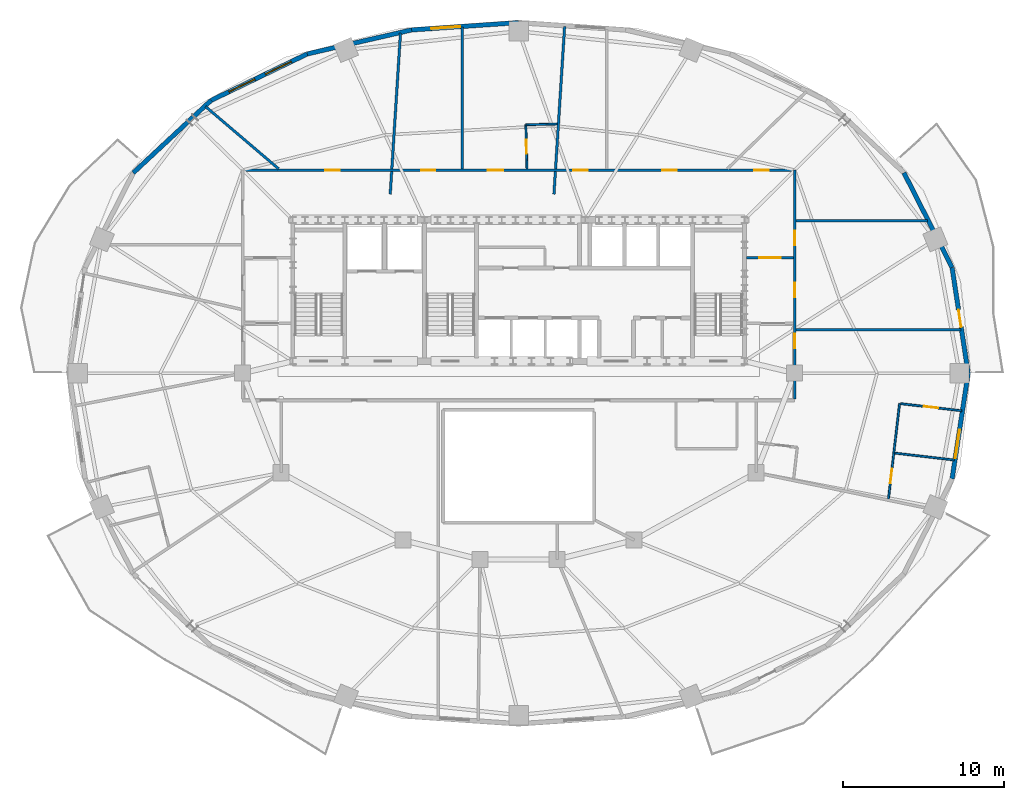
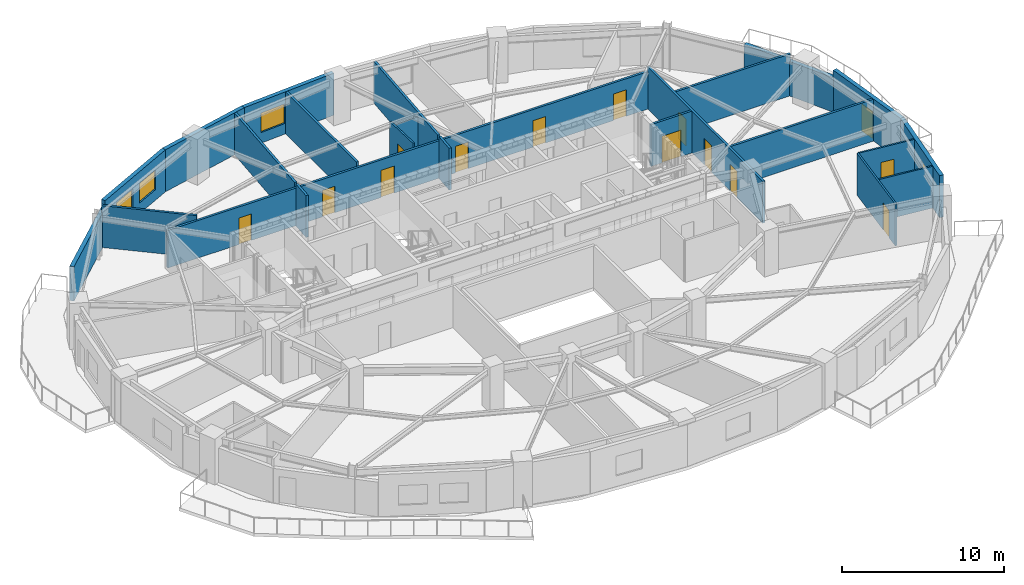
# One storey, part 6 of 10: 23 walls, 14 doors, 4 windows, 18 openings.
"""IFC4 building model written with IfcOpenShell, lengths in metres."""

from ifc_helpers import new_model, si_unit, direction, frame, frame_2d, origin, place, context, subcontext, project, spatial, rectangle, extrude, material, layer, layer_set, type_object, element, fill, save


model = new_model("IFC4")

# Units and contexts
model_context = context("Model", 3, precision=1e-05, world=origin(), true_north=direction((0.0, 1.0)))
body_context = subcontext(model_context, "Body", "Model", "MODEL_VIEW")
ifc_project = project(units=[si_unit("LENGTHUNIT", "METRE"), si_unit("AREAUNIT", "SQUARE_METRE"), si_unit("VOLUMEUNIT", "CUBIC_METRE"), si_unit("PLANEANGLEUNIT", "RADIAN"), si_unit("MASSUNIT", "GRAM", prefix="KILO")], contexts=[model_context])

# Site, building, storey
site_placement = place(None, origin())
site = spatial("IfcSite", under=ifc_project, at=site_placement, CompositionType="ELEMENT")
building_placement = place(site_placement, origin())
building = spatial("IfcBuilding", under=site, at=building_placement, Name="Haldorwick Loom Tower", CompositionType="ELEMENT")
storey_placement = place(building_placement, frame((0.0, 0.0, 196.89990234375)))
storey = spatial("IfcBuildingStorey", under=building, at=storey_placement, Name="L53", CompositionType="ELEMENT", Elevation=196.89990234375)

# Wall, opening, door
ifc_material_1 = material(Name="Pressed Clay Face Brick and Insulated Masonry Backup Assembly", Category="masonry")
ifc_layer_1 = layer(ifc_material_1, 0.280029296875, Name="Pressed Clay Face Brick and Insulated Masonry Backup Assembly", Category="masonry")
ifc_layer_set_1 = layer_set([ifc_layer_1], Name="Pressed Clay Face Brick and Insulated Masonry Backup Assembly")
wall_type_1 = type_object("IfcWallType", Name="ARC-WL-EXT280", PredefinedType="STANDARD", material=ifc_layer_set_1)
wall_1_placement = place(storey_placement, frame((64.00634765625, 26.0, 0.0), z_axis=(0.0, 0.0, 1.0), x_axis=(-0.150467697578, 0.988614926038, 0.0)))
wall_1 = element("IfcWall", 1, at=wall_1_placement, inside=storey, type_object=wall_type_1, Name="L53 Brick Pier and Spandrel Wall 1", PredefinedType="STANDARD", context=body_context, shape_type="SweptSolid", body=[
    extrude(rectangle(XDim=6.66064453125, YDim=0.280029296875, at=frame_2d((3.330322265625, 0.0))), origin(), (0.0, 0.0, 1.0), 3.170166015625),
])
opening_1_placement = place(wall_1_placement, frame((2.909912109375, 0.0, 0.0)))
opening_1 = element("IfcOpeningElement", 2, at=opening_1_placement, cuts=wall_1, Name="Opening D-BL11", PredefinedType="OPENING", context=body_context, shape_type="SweptSolid", body=[
    extrude(rectangle(XDim=1.080078125, YDim=2.0400390625, at=frame_2d((0.5400390625, 1.02001953125))), frame((0.0, 0.14990234375, 0.0), z_axis=(0.0, -1.0, 0.0), x_axis=(1.0, 0.0, 0.0)), (0.0, 0.0, 1.0), 0.300048828125),
])
ifc_material_2 = material(Name="Thermally Broken Anodized Aluminium Curtain Wall Framing", Category="aluminium")
door_type_1 = type_object("IfcDoorType", Name="ARC-DR-BAL110", OperationType="NOTDEFINED", PredefinedType="DOOR", material=ifc_material_2)
door_1_placement = place(opening_1_placement, origin())
door_1 = element("IfcDoor", 3, at=door_1_placement, inside=storey, type_object=door_type_1, Name="L53 Outdoor Terrace Door SLB-L53-BAL_ENE", OperationType="SINGLE_SWING_RIGHT", OverallHeight=2.0400390625, OverallWidth=1.080078125, PredefinedType="DOOR", context=body_context, shape_type="SweptSolid", body=[
    extrude(rectangle(XDim=1.080078125, YDim=2.0400390625, at=frame_2d((0.5400390625, 1.02001953125))), frame((0.0, 0.02490234375, 0.0), z_axis=(0.0, -1.0, 0.0), x_axis=(1.0, 0.0, 0.0)), (0.0, 0.0, 1.0), 0.050048828125),
])
fill(opening_1, door_1)

# Wall
wall_2_placement = place(storey_placement, frame((63.004150390625, 32.584716796875, 0.0), z_axis=(0.0, 0.0, 1.0), x_axis=(-0.453032066879, 0.89149422117, 0.0)))
element("IfcWall", 4, at=wall_2_placement, inside=storey, type_object=wall_type_1, Name="L53 Brick Pier and Spandrel Wall 2", PredefinedType="STANDARD", context=body_context, shape_type="SweptSolid", body=[
    extrude(rectangle(XDim=6.618896484375, YDim=0.280029296875, at=frame_2d((3.3095703125, 0.0))), origin(), (0.0, 0.0, 1.0), 2.60107421875),
])

# Wall, opening, window
wall_3_placement = place(storey_placement, frame((36.0, 47.844970703125, 0.0), z_axis=(0.0, 0.0, 1.0), x_axis=(-0.99764992135, -0.068517402386, 0.0)))
wall_3 = element("IfcWall", 5, at=wall_3_placement, inside=storey, type_object=wall_type_1, Name="L53 Brick Pier and Spandrel Wall 7", PredefinedType="STANDARD", context=body_context, shape_type="SweptSolid", body=[
    extrude(rectangle(XDim=6.680908203125, YDim=0.280029296875, at=frame_2d((3.34033203125, 0.0))), origin(), (0.0, 0.0, 1.0), 3.170166015625),
])
opening_2_placement = place(wall_3_placement, frame((3.640869140625, 0.0, 0.800048828125)))
opening_2 = element("IfcOpeningElement", 6, at=opening_2_placement, cuts=wall_3, Name="Opening W-01", PredefinedType="OPENING", context=body_context, shape_type="SweptSolid", body=[
    extrude(rectangle(XDim=1.800048828125, YDim=1.47998046875, at=frame_2d((0.89990234375, 0.739990234375))), frame((0.0, 0.14990234375, 0.0), z_axis=(0.0, -1.0, 0.0), x_axis=(1.0, 0.0, 0.0)), (0.0, 0.0, 1.0), 0.300048828125),
])
ifc_material_3 = material(Name="Triple-Glazed Low-E Argon Insulated Glazing Unit", Category="glass")
window_type = type_object("IfcWindowType", Name="ARC-WIN-W180", PartitioningType="SINGLE_PANEL", PredefinedType="WINDOW", material=ifc_material_3)
window_1_placement = place(opening_2_placement, origin())
window_1 = element("IfcWindow", 7, at=window_1_placement, inside=storey, type_object=window_type, Name="L53 Deep-Set Zone 7A Window 7", OverallHeight=1.47998046875, OverallWidth=1.800048828125, PartitioningType="SINGLE_PANEL", PredefinedType="WINDOW", context=body_context, shape_type="SweptSolid", body=[
    extrude(rectangle(XDim=1.800048828125, YDim=1.47998046875, at=frame_2d((0.89990234375, 0.739990234375))), frame((0.0, 0.030029296875, 0.0), z_axis=(0.0, -1.0, 0.0), x_axis=(1.0, 0.0, 0.0)), (0.0, 0.0, 1.0), 0.06005859375),
])
fill(opening_2, window_1)

# Wall
wall_4_placement = place(storey_placement, frame((29.334716796875, 47.38720703125, 0.0), z_axis=(0.0, 0.0, 1.0), x_axis=(-0.974557343474, -0.224138315065, 0.0)))
element("IfcWall", 8, at=wall_4_placement, inside=storey, type_object=wall_type_1, Name="L53 Brick Pier and Spandrel Wall 8", PredefinedType="STANDARD", context=body_context, shape_type="SweptSolid", body=[
    extrude(rectangle(XDim=6.676025390625, YDim=0.280029296875, at=frame_2d((3.337890625, 0.0))), origin(), (0.0, 0.0, 1.0), 3.170166015625),
])

# Wall, openings, windows
wall_5_placement = place(storey_placement, frame((22.82861328125, 45.890869140625, 0.0), z_axis=(0.0, 0.0, 1.0), x_axis=(-0.900371236029, -0.435122554381, 0.0)))
wall_5 = element("IfcWall", 9, at=wall_5_placement, inside=storey, type_object=wall_type_1, Name="L53 Brick Pier and Spandrel Wall 9", PredefinedType="STANDARD", context=body_context, shape_type="SweptSolid", body=[
    extrude(rectangle(XDim=6.6533203125, YDim=0.280029296875, at=frame_2d((3.32666015625, 0.0))), origin(), (0.0, 0.0, 1.0), 3.170166015625),
])
opening_3_placement = place(wall_5_placement, frame((1.095947265625, 0.0, 0.800048828125)))
opening_3 = element("IfcOpeningElement", 10, at=opening_3_placement, cuts=wall_5, Name="Opening W-01", PredefinedType="OPENING", context=body_context, shape_type="SweptSolid", body=[
    extrude(rectangle(XDim=1.800048828125, YDim=1.47998046875, at=frame_2d((0.89990234375, 0.739990234375))), frame((0.0, 0.14990234375, 0.0), z_axis=(0.0, -1.0, 0.0), x_axis=(1.0, 0.0, 0.0)), (0.0, 0.0, 1.0), 0.300048828125),
])
opening_4_placement = place(wall_5_placement, frame((3.618896484375, 0.0, 0.800048828125)))
opening_4 = element("IfcOpeningElement", 11, at=opening_4_placement, cuts=wall_5, Name="Opening W-01", PredefinedType="OPENING", context=body_context, shape_type="SweptSolid", body=[
    extrude(rectangle(XDim=1.800048828125, YDim=1.47998046875, at=frame_2d((0.89990234375, 0.739990234375))), frame((0.0, 0.14990234375, 0.0), z_axis=(0.0, -1.0, 0.0), x_axis=(1.0, 0.0, 0.0)), (0.0, 0.0, 1.0), 0.300048828125),
])
window_2_placement = place(opening_3_placement, origin())
window_2 = element("IfcWindow", 12, at=window_2_placement, inside=storey, type_object=window_type, Name="L53 Deep-Set Zone 7A Window 9", OverallHeight=1.47998046875, OverallWidth=1.800048828125, PartitioningType="SINGLE_PANEL", PredefinedType="WINDOW", context=body_context, shape_type="SweptSolid", body=[
    extrude(rectangle(XDim=1.800048828125, YDim=1.47998046875, at=frame_2d((0.89990234375, 0.739990234375))), frame((0.0, 0.030029296875, 0.0), z_axis=(0.0, -1.0, 0.0), x_axis=(1.0, 0.0, 0.0)), (0.0, 0.0, 1.0), 0.06005859375),
])
fill(opening_3, window_2)
window_3_placement = place(opening_4_placement, origin())
window_3 = element("IfcWindow", 13, at=window_3_placement, inside=storey, type_object=window_type, Name="L53 Deep-Set Zone 7A Window 9", OverallHeight=1.47998046875, OverallWidth=1.800048828125, PartitioningType="SINGLE_PANEL", PredefinedType="WINDOW", context=body_context, shape_type="SweptSolid", body=[
    extrude(rectangle(XDim=1.800048828125, YDim=1.47998046875, at=frame_2d((0.89990234375, 0.739990234375))), frame((0.0, 0.030029296875, 0.0), z_axis=(0.0, -1.0, 0.0), x_axis=(1.0, 0.0, 0.0)), (0.0, 0.0, 1.0), 0.06005859375),
])
fill(opening_4, window_3)

# Wall
wall_6_placement = place(storey_placement, frame((16.838134765625, 42.995849609375, 0.0), z_axis=(0.0, 0.0, 1.0), x_axis=(-0.731833707499, -0.681483253329, 0.0)))
element("IfcWall", 14, at=wall_6_placement, inside=storey, type_object=wall_type_1, Name="L53 Brick Pier and Spandrel Wall 10", PredefinedType="STANDARD", context=body_context, shape_type="SweptSolid", body=[
    extrude(rectangle(XDim=6.61865234375, YDim=0.280029296875, at=frame_2d((3.309326171875, 0.0))), origin(), (0.0, 0.0, 1.0), 2.60107421875),
])

# Wall, opening, window
wall_7_placement = place(storey_placement, frame((63.004150390625, 19.415283203125, 0.0), z_axis=(0.0, 0.0, 1.0), x_axis=(0.150467697578, 0.988614926038, 0.0)))
wall_7 = element("IfcWall", 15, at=wall_7_placement, inside=storey, type_object=wall_type_1, Name="L53 Brick Pier and Spandrel Wall 24", PredefinedType="STANDARD", context=body_context, shape_type="SweptSolid", body=[
    extrude(rectangle(XDim=6.66064453125, YDim=0.280029296875, at=frame_2d((3.330322265625, 0.0))), origin(), (0.0, 0.0, 1.0), 3.170166015625),
])
opening_5_placement = place(wall_7_placement, frame((1.295654296875, 0.0, 0.800048828125)))
opening_5 = element("IfcOpeningElement", 16, at=opening_5_placement, cuts=wall_7, Name="Opening W-01", PredefinedType="OPENING", context=body_context, shape_type="SweptSolid", body=[
    extrude(rectangle(XDim=1.800048828125, YDim=1.47998046875, at=frame_2d((0.89990234375, 0.739990234375))), frame((0.0, 0.14990234375, 0.0), z_axis=(0.0, -1.0, 0.0), x_axis=(1.0, 0.0, 0.0)), (0.0, 0.0, 1.0), 0.300048828125),
])
window_4_placement = place(opening_5_placement, origin())
window_4 = element("IfcWindow", 17, at=window_4_placement, inside=storey, type_object=window_type, Name="L53 Deep-Set Zone 7A Window 24", OverallHeight=1.47998046875, OverallWidth=1.800048828125, PartitioningType="SINGLE_PANEL", PredefinedType="WINDOW", context=body_context, shape_type="SweptSolid", body=[
    extrude(rectangle(XDim=1.800048828125, YDim=1.47998046875, at=frame_2d((0.89990234375, 0.739990234375))), frame((0.0, 0.030029296875, 0.0), z_axis=(0.0, -1.0, 0.0), x_axis=(1.0, 0.0, 0.0)), (0.0, 0.0, 1.0), 0.06005859375),
])
fill(opening_5, window_4)

# Wall, openings, doors
ifc_material_4 = material(Name="Fire-Rated Type X Gypsum Stud Assembly EI 60")
ifc_layer_2 = layer(ifc_material_4, 0.159912109375, Name="Fire-Rated Type X Gypsum Stud Assembly EI 60")
ifc_layer_set_2 = layer_set([ifc_layer_2], Name="Fire-Rated Type X Gypsum Stud Assembly EI 60")
wall_type_2 = type_object("IfcWallType", Name="ARC-WL-FIRE160", PredefinedType="PARTITIONING", material=ifc_layer_set_2)
wall_8_placement = place(storey_placement, frame((53.199951171875, 24.383056640625, 0.0), z_axis=(0.0, 0.0, 1.0), x_axis=(0.0, 1.0, 0.0)))
wall_8 = element("IfcWall", 18, at=wall_8_placement, inside=storey, type_object=wall_type_2, Name="L53 Residential Fire Partition L53-CR-E0", PredefinedType="PARTITIONING", context=body_context, shape_type="SweptSolid", body=[
    extrude(rectangle(XDim=14.266845703125, YDim=0.159912109375, at=frame_2d((7.13330078125, 0.0))), origin(), (0.0, 0.0, 1.0), 3.155029296875),
])
opening_6_placement = place(wall_8_placement, frame((6.34912109375, 0.0, 0.0)))
opening_6 = element("IfcOpeningElement", 19, at=opening_6_placement, cuts=wall_8, Name="Opening D-FD60A", PredefinedType="OPENING", context=body_context, shape_type="SweptSolid", body=[
    extrude(rectangle(XDim=0.89990234375, YDim=2.0, at=frame_2d((0.449951171875, 1.0))), frame((0.0, 0.08984375, 0.0), z_axis=(0.0, -1.0, 0.0), x_axis=(1.0, 0.0, 0.0)), (0.0, 0.0, 1.0), 0.179931640625),
])
opening_7_placement = place(wall_8_placement, frame((3.172119140625, 0.0, 0.0)))
opening_7 = element("IfcOpeningElement", 20, at=opening_7_placement, cuts=wall_8, Name="Opening D-FD60A", PredefinedType="OPENING", context=body_context, shape_type="SweptSolid", body=[
    extrude(rectangle(XDim=0.89990234375, YDim=2.0, at=frame_2d((0.449951171875, 1.0))), frame((0.0, 0.08984375, 0.0), z_axis=(0.0, -1.0, 0.0), x_axis=(1.0, 0.0, 0.0)), (0.0, 0.0, 1.0), 0.179931640625),
])
opening_8_placement = place(wall_8_placement, frame((9.58154296875, 0.0, 0.0)))
opening_8 = element("IfcOpeningElement", 21, at=opening_8_placement, cuts=wall_8, Name="Opening D-FD60A", PredefinedType="OPENING", context=body_context, shape_type="SweptSolid", body=[
    extrude(rectangle(XDim=0.89990234375, YDim=2.0, at=frame_2d((0.449951171875, 1.0))), frame((0.0, 0.08984375, 0.0), z_axis=(0.0, -1.0, 0.0), x_axis=(1.0, 0.0, 0.0)), (0.0, 0.0, 1.0), 0.179931640625),
])
ifc_material_5 = material(Name="Hollow Steel Fire Door Assembly", Category="steel")
door_type_2 = type_object("IfcDoorType", Name="ARC-DR-FD60-90", OperationType="NOTDEFINED", PredefinedType="DOOR", material=ifc_material_5)
door_2_placement = place(opening_6_placement, origin())
door_2 = element("IfcDoor", 22, at=door_2_placement, inside=storey, type_object=door_type_2, Name="L53 L53 East Residential Corridor to Community Teaching Classroom 3 Door", OperationType="SINGLE_SWING_LEFT", OverallHeight=2.0, OverallWidth=0.89990234375, PredefinedType="DOOR", context=body_context, shape_type="SweptSolid", body=[
    extrude(rectangle(XDim=0.89990234375, YDim=2.0, at=frame_2d((0.449951171875, 1.0))), frame((0.0, 0.02490234375, 0.0), z_axis=(0.0, -1.0, 0.0), x_axis=(1.0, 0.0, 0.0)), (0.0, 0.0, 1.0), 0.050048828125),
])
fill(opening_6, door_2)
door_3_placement = place(opening_7_placement, origin())
door_3 = element("IfcDoor", 23, at=door_3_placement, inside=storey, type_object=door_type_2, Name="L53 L53 Central Residential Corridor to Unit 53B Kitchen and Penthouse L", OperationType="SINGLE_SWING_RIGHT", OverallHeight=2.0, OverallWidth=0.89990234375, PredefinedType="DOOR", context=body_context, shape_type="SweptSolid", body=[
    extrude(rectangle(XDim=0.89990234375, YDim=2.0, at=frame_2d((0.449951171875, 1.0))), frame((0.0, 0.02490234375, 0.0), z_axis=(0.0, -1.0, 0.0), x_axis=(1.0, 0.0, 0.0)), (0.0, 0.0, 1.0), 0.050048828125),
])
fill(opening_7, door_3)
door_4_placement = place(opening_8_placement, origin())
door_4 = element("IfcDoor", 24, at=door_4_placement, inside=storey, type_object=door_type_2, Name="L53 L53 North Residential Corridor to Community Teaching Classroom 3 Doo", OperationType="SINGLE_SWING_LEFT", OverallHeight=2.0, OverallWidth=0.89990234375, PredefinedType="DOOR", context=body_context, shape_type="SweptSolid", body=[
    extrude(rectangle(XDim=0.89990234375, YDim=2.0, at=frame_2d((0.449951171875, 1.0))), frame((0.0, 0.02490234375, 0.0), z_axis=(0.0, -1.0, 0.0), x_axis=(1.0, 0.0, 0.0)), (0.0, 0.0, 1.0), 0.050048828125),
])
fill(opening_8, door_4)

# Wall, opening, door
wall_9_placement = place(storey_placement, frame((50.193115234375, 33.199951171875, 0.0), z_axis=(0.0, 0.0, 1.0), x_axis=(1.0, 0.0, 0.0)))
wall_9 = element("IfcWall", 25, at=wall_9_placement, inside=storey, type_object=wall_type_2, Name="L53 Residential Fire Partition L53-CR-ENJ", PredefinedType="PARTITIONING", context=body_context, shape_type="SweptSolid", body=[
    extrude(rectangle(XDim=2.923828125, YDim=0.159912109375, at=frame_2d((1.4619140625, 0.0))), origin(), (0.0, 0.0, 1.0), 3.155029296875),
])
opening_9_placement = place(wall_9_placement, frame((0.787109375, 0.0, 0.0)))
opening_9 = element("IfcOpeningElement", 26, at=opening_9_placement, cuts=wall_9, Name="Opening D-CR15", PredefinedType="OPENING", context=body_context, shape_type="SweptSolid", body=[
    extrude(rectangle(XDim=1.35009765625, YDim=2.0, at=frame_2d((0.675048828125, 1.0))), frame((0.0, 0.08984375, 0.0), z_axis=(0.0, -1.0, 0.0), x_axis=(1.0, 0.0, 0.0)), (0.0, 0.0, 1.0), 0.179931640625),
])
ifc_material_6 = material(Name="Thermally Broken Anodized Aluminium and Tempered Glass", Category="aluminium")
door_type_3 = type_object("IfcDoorType", Name="ARC-DR-COR150", OperationType="NOTDEFINED", PredefinedType="DOOR", material=ifc_material_6)
door_5_placement = place(opening_9_placement, origin())
door_5 = element("IfcDoor", 27, at=door_5_placement, inside=storey, type_object=door_type_3, Name="L53 L53 North Residential Corridor to L53 East Residential Corridor Door", OperationType="DOUBLE_DOOR_SINGLE_SWING", OverallHeight=2.0, OverallWidth=1.35009765625, PredefinedType="DOOR", context=body_context, shape_type="SweptSolid", body=[
    extrude(rectangle(XDim=1.35009765625, YDim=2.0, at=frame_2d((0.675048828125, 1.0))), frame((0.0, 0.02490234375, 0.0), z_axis=(0.0, -1.0, 0.0), x_axis=(1.0, 0.0, 0.0)), (0.0, 0.0, 1.0), 0.050048828125),
])
fill(opening_9, door_5)

# Wall, openings, doors
wall_10_placement = place(storey_placement, frame((18.883056640625, 38.64990234375, 0.0), z_axis=(0.0, 0.0, 1.0), x_axis=(1.0, 0.0, 0.0)))
wall_10 = element("IfcWall", 28, at=wall_10_placement, inside=storey, type_object=wall_type_2, Name="L53 Residential Fire Partition L53-CR-N0", PredefinedType="PARTITIONING", context=body_context, shape_type="SweptSolid", body=[
    extrude(rectangle(XDim=34.23388671875, YDim=0.159912109375, at=frame_2d((17.116943359375, 0.0))), origin(), (0.0, 0.0, 1.0), 2.83203125),
])
opening_10_placement = place(wall_10_placement, frame((26.0537109375, 0.0, 0.0)))
opening_10 = element("IfcOpeningElement", 29, at=opening_10_placement, cuts=wall_10, Name="Opening D-FD60A", PredefinedType="OPENING", context=body_context, shape_type="SweptSolid", body=[
    extrude(rectangle(XDim=0.89990234375, YDim=2.0, at=frame_2d((0.449951171875, 1.0))), frame((0.0, 0.08984375, 0.0), z_axis=(0.0, -1.0, 0.0), x_axis=(1.0, 0.0, 0.0)), (0.0, 0.0, 1.0), 0.179931640625),
])
opening_11_placement = place(wall_10_placement, frame((5.071533203125, 0.0, 0.0)))
opening_11 = element("IfcOpeningElement", 30, at=opening_11_placement, cuts=wall_10, Name="Opening D-FD60A", PredefinedType="OPENING", context=body_context, shape_type="SweptSolid", body=[
    extrude(rectangle(XDim=0.89990234375, YDim=2.0, at=frame_2d((0.449951171875, 1.0))), frame((0.0, 0.08984375, 0.0), z_axis=(0.0, -1.0, 0.0), x_axis=(1.0, 0.0, 0.0)), (0.0, 0.0, 1.0), 0.179931640625),
])
opening_12_placement = place(wall_10_placement, frame((11.034912109375, 0.0, 0.0)))
opening_12 = element("IfcOpeningElement", 31, at=opening_12_placement, cuts=wall_10, Name="Opening D-FD60A", PredefinedType="OPENING", context=body_context, shape_type="SweptSolid", body=[
    extrude(rectangle(XDim=0.89990234375, YDim=2.0, at=frame_2d((0.449951171875, 1.0))), frame((0.0, 0.08984375, 0.0), z_axis=(0.0, -1.0, 0.0), x_axis=(1.0, 0.0, 0.0)), (0.0, 0.0, 1.0), 0.179931640625),
])
opening_13_placement = place(wall_10_placement, frame((15.206298828125, 0.0, 0.0)))
opening_13 = element("IfcOpeningElement", 32, at=opening_13_placement, cuts=wall_10, Name="Opening D-FL95", PredefinedType="OPENING", context=body_context, shape_type="SweptSolid", body=[
    extrude(rectangle(XDim=0.949951171875, YDim=2.0400390625, at=frame_2d((0.47509765625, 1.02001953125))), frame((0.0, 0.08984375, 0.0), z_axis=(0.0, -1.0, 0.0), x_axis=(1.0, 0.0, 0.0)), (0.0, 0.0, 1.0), 0.179931640625),
])
opening_14_placement = place(wall_10_placement, frame((31.796142578125, 0.0, 0.0)))
opening_14 = element("IfcOpeningElement", 33, at=opening_14_placement, cuts=wall_10, Name="Opening D-FD60A", PredefinedType="OPENING", context=body_context, shape_type="SweptSolid", body=[
    extrude(rectangle(XDim=0.89990234375, YDim=2.0, at=frame_2d((0.449951171875, 1.0))), frame((0.0, 0.08984375, 0.0), z_axis=(0.0, -1.0, 0.0), x_axis=(1.0, 0.0, 0.0)), (0.0, 0.0, 1.0), 0.179931640625),
])
opening_15_placement = place(wall_10_placement, frame((20.531982421875, 0.0, 0.0)))
opening_15 = element("IfcOpeningElement", 34, at=opening_15_placement, cuts=wall_10, Name="Opening D-FD60A", PredefinedType="OPENING", context=body_context, shape_type="SweptSolid", body=[
    extrude(rectangle(XDim=0.89990234375, YDim=2.0, at=frame_2d((0.449951171875, 1.0))), frame((0.0, 0.08984375, 0.0), z_axis=(0.0, -1.0, 0.0), x_axis=(1.0, 0.0, 0.0)), (0.0, 0.0, 1.0), 0.179931640625),
])
door_6_placement = place(opening_10_placement, frame((0.89990234375, 0.0, 0.0), z_axis=(0.0, 0.0, 1.0), x_axis=(-1.0, 0.0, 0.0)))
door_6 = element("IfcDoor", 35, at=door_6_placement, inside=storey, type_object=door_type_2, Name="L53 Community Teaching Classroom 7 to L53 North Residential Corridor Doo", OperationType="SINGLE_SWING_LEFT", OverallHeight=2.0, OverallWidth=0.89990234375, PredefinedType="DOOR", context=body_context, shape_type="SweptSolid", body=[
    extrude(rectangle(XDim=0.89990234375, YDim=2.0, at=frame_2d((0.449951171875, 1.0))), frame((0.0, 0.02490234375, 0.0), z_axis=(0.0, -1.0, 0.0), x_axis=(1.0, 0.0, 0.0)), (0.0, 0.0, 1.0), 0.050048828125),
])
fill(opening_10, door_6)
door_7_placement = place(opening_11_placement, frame((0.89990234375, 0.0, 0.0), z_axis=(0.0, 0.0, 1.0), x_axis=(-1.0, 0.0, 0.0)))
door_7 = element("IfcDoor", 36, at=door_7_placement, inside=storey, type_object=door_type_2, Name="L53 Community Teaching Classroom 5 to L53 North Residential Corridor Doo", OperationType="SINGLE_SWING_RIGHT", OverallHeight=2.0, OverallWidth=0.89990234375, PredefinedType="DOOR", context=body_context, shape_type="SweptSolid", body=[
    extrude(rectangle(XDim=0.89990234375, YDim=2.0, at=frame_2d((0.449951171875, 1.0))), frame((0.0, 0.02490234375, 0.0), z_axis=(0.0, -1.0, 0.0), x_axis=(1.0, 0.0, 0.0)), (0.0, 0.0, 1.0), 0.050048828125),
])
fill(opening_11, door_7)
door_8_placement = place(opening_12_placement, frame((0.89990234375, 0.0, 0.0), z_axis=(0.0, 0.0, 1.0), x_axis=(-1.0, 0.0, 0.0)))
door_8 = element("IfcDoor", 37, at=door_8_placement, inside=storey, type_object=door_type_2, Name="L53 Shared Tea Pantry 12 to L53 North Residential Corridor Door", OperationType="SINGLE_SWING_RIGHT", OverallHeight=2.0, OverallWidth=0.89990234375, PredefinedType="DOOR", context=body_context, shape_type="SweptSolid", body=[
    extrude(rectangle(XDim=0.89990234375, YDim=2.0, at=frame_2d((0.449951171875, 1.0))), frame((0.0, 0.02490234375, 0.0), z_axis=(0.0, -1.0, 0.0), x_axis=(1.0, 0.0, 0.0)), (0.0, 0.0, 1.0), 0.050048828125),
])
fill(opening_12, door_8)
door_9_placement = place(opening_14_placement, frame((0.89990234375, 0.0, 0.0), z_axis=(0.0, 0.0, 1.0), x_axis=(-1.0, 0.0, 0.0)))
door_9 = element("IfcDoor", 38, at=door_9_placement, inside=storey, type_object=door_type_2, Name="L53 Community Teaching Classroom 6 to L53 North Residential Corridor Doo", OperationType="SINGLE_SWING_RIGHT", OverallHeight=2.0, OverallWidth=0.89990234375, PredefinedType="DOOR", context=body_context, shape_type="SweptSolid", body=[
    extrude(rectangle(XDim=0.89990234375, YDim=2.0, at=frame_2d((0.449951171875, 1.0))), frame((0.0, 0.02490234375, 0.0), z_axis=(0.0, -1.0, 0.0), x_axis=(1.0, 0.0, 0.0)), (0.0, 0.0, 1.0), 0.050048828125),
])
fill(opening_14, door_9)
door_10_placement = place(opening_15_placement, frame((0.89990234375, 0.0, 0.0), z_axis=(0.0, 0.0, 1.0), x_axis=(-1.0, 0.0, 0.0)))
door_10 = element("IfcDoor", 39, at=door_10_placement, inside=storey, type_object=door_type_2, Name="L53 Remote Work Office 13 to L53 North Residential Corridor Door", OperationType="SINGLE_SWING_RIGHT", OverallHeight=2.0, OverallWidth=0.89990234375, PredefinedType="DOOR", context=body_context, shape_type="SweptSolid", body=[
    extrude(rectangle(XDim=0.89990234375, YDim=2.0, at=frame_2d((0.449951171875, 1.0))), frame((0.0, 0.02490234375, 0.0), z_axis=(0.0, -1.0, 0.0), x_axis=(1.0, 0.0, 0.0)), (0.0, 0.0, 1.0), 0.050048828125),
])
fill(opening_15, door_10)
ifc_material_7 = material(Name="Solid Core Birch Architectural Door")
door_type_4 = type_object("IfcDoorType", Name="ARC-DR-FLAT95", OperationType="NOTDEFINED", PredefinedType="DOOR", material=ifc_material_7)
door_11_placement = place(opening_13_placement, frame((0.949951171875, 0.0, 0.0), z_axis=(0.0, 0.0, 1.0), x_axis=(-1.0, 0.0, 0.0)))
door_11 = element("IfcDoor", 40, at=door_11_placement, inside=storey, type_object=door_type_4, Name="L53 Unit 53H Kitchen and Studio Living Room to L53 North Residential Cor", OperationType="SINGLE_SWING_LEFT", OverallHeight=2.0400390625, OverallWidth=0.949951171875, PredefinedType="DOOR", context=body_context, shape_type="SweptSolid", body=[
    extrude(rectangle(XDim=0.949951171875, YDim=2.0400390625, at=frame_2d((0.47509765625, 1.02001953125))), frame((0.0, 0.02490234375, 0.0), z_axis=(0.0, -1.0, 0.0), x_axis=(1.0, 0.0, 0.0)), (0.0, 0.0, 1.0), 0.050048828125),
])
fill(opening_13, door_11)

# Walls
wall_11_placement = place(storey_placement, frame((32.5, 38.73291015625, 0.0), z_axis=(0.0, 0.0, 1.0), x_axis=(0.0, 1.0, 0.0)))
element("IfcWall", 41, at=wall_11_placement, inside=storey, type_object=wall_type_2, Name="L53 Residential Fire Partition L53-NBP-0", PredefinedType="PARTITIONING", context=body_context, shape_type="SweptSolid", body=[
    extrude(rectangle(XDim=8.82666015625, YDim=0.159912109375, at=frame_2d((4.413330078125, 0.0))), origin(), (0.0, 0.0, 1.0), 3.155029296875),
])
wall_12_placement = place(storey_placement, frame((28.0, 37.14990234375, 0.0), z_axis=(0.0, 0.0, 1.0), x_axis=(0.063619995276, 0.99797419616, 0.0)))
element("IfcWall", 42, at=wall_12_placement, inside=storey, type_object=wall_type_2, Name="L53 Residential Fire Partition L53-UPN-12", PredefinedType="PARTITIONING", context=body_context, shape_type="SweptSolid", body=[
    extrude(rectangle(XDim=1.419921875, YDim=0.159912109375, at=frame_2d((0.7099609375, 0.0))), origin(), (0.0, 0.0, 1.0), 3.155029296875),
])
wall_13_placement = place(storey_placement, frame((28.100830078125, 38.73291015625, 0.0), z_axis=(0.0, 0.0, 1.0), x_axis=(0.06362070791, 0.99797415073, 0.0)))
element("IfcWall", 43, at=wall_13_placement, inside=storey, type_object=wall_type_2, Name="L53 Residential Fire Partition L53-UPN-12", PredefinedType="PARTITIONING", context=body_context, shape_type="SweptSolid", body=[
    extrude(rectangle(XDim=8.46533203125, YDim=0.159912109375, at=frame_2d((4.232666015625, 0.0))), origin(), (0.0, 0.0, 1.0), 3.155029296875),
])
wall_14_placement = place(storey_placement, frame((38.199951171875, 37.14990234375, 0.0), z_axis=(0.0, 0.0, 1.0), x_axis=(0.063619995276, 0.99797419616, 0.0)))
element("IfcWall", 44, at=wall_14_placement, inside=storey, type_object=wall_type_2, Name="L53 Residential Fire Partition L53-UPN-13", PredefinedType="PARTITIONING", context=body_context, shape_type="SweptSolid", body=[
    extrude(rectangle(XDim=1.419921875, YDim=0.159912109375, at=frame_2d((0.7099609375, 0.0))), origin(), (0.0, 0.0, 1.0), 3.155029296875),
])
wall_15_placement = place(storey_placement, frame((38.30078125, 38.73291015625, 0.0), z_axis=(0.0, 0.0, 1.0), x_axis=(0.063616337617, 0.997974429326, 0.0)))
element("IfcWall", 45, at=wall_15_placement, inside=storey, type_object=wall_type_2, Name="L53 Residential Fire Partition L53-UPN-13", PredefinedType="PARTITIONING", context=body_context, shape_type="SweptSolid", body=[
    extrude(rectangle(XDim=8.88818359375, YDim=0.159912109375, at=frame_2d((4.444091796875, 0.0))), origin(), (0.0, 0.0, 1.0), 3.155029296875),
])
wall_16_placement = place(storey_placement, frame((53.282958984375, 28.699951171875, 0.0), z_axis=(0.0, 0.0, 1.0), x_axis=(1.0, 0.0, 0.0)))
element("IfcWall", 46, at=wall_16_placement, inside=storey, type_object=wall_type_2, Name="L53 Residential Fire Partition L53-FLE-15", PredefinedType="PARTITIONING", context=body_context, shape_type="SweptSolid", body=[
    extrude(rectangle(XDim=10.266845703125, YDim=0.159912109375, at=frame_2d((5.13330078125, 0.0))), origin(), (0.0, 0.0, 1.0), 3.155029296875),
])
wall_17_placement = place(storey_placement, frame((53.282958984375, 35.5, 0.0), z_axis=(0.0, 0.0, 1.0), x_axis=(1.0, 0.0, 0.0)))
element("IfcWall", 47, at=wall_17_placement, inside=storey, type_object=wall_type_2, Name="L53 Residential Fire Partition L53-FLE-17", PredefinedType="PARTITIONING", context=body_context, shape_type="SweptSolid", body=[
    extrude(rectangle(XDim=8.189208984375, YDim=0.159912109375, at=frame_2d((4.0947265625, 0.0))), origin(), (0.0, 0.0, 1.0), 3.155029296875),
])
wall_18_placement = place(storey_placement, frame((21.04931640625, 38.73291015625, 0.0), z_axis=(0.0, 0.0, 1.0), x_axis=(-0.761291709936, 0.648409540632, 0.0)))
element("IfcWall", 48, at=wall_18_placement, inside=storey, type_object=wall_type_2, Name="L53 Suite Split Wall", PredefinedType="PARTITIONING", context=body_context, shape_type="SweptSolid", body=[
    extrude(rectangle(XDim=5.984375, YDim=0.159912109375, at=frame_2d((2.9921875, 0.0))), origin(), (0.0, 0.0, 1.0), 3.155029296875),
])

# Wall, opening, door
ifc_material_8 = material(Name="Acoustic Gypsum Stud Assembly STC 55")
ifc_layer_3 = layer(ifc_material_8, 0.1201171875, Name="Acoustic Gypsum Stud Assembly STC 55")
ifc_layer_set_3 = layer_set([ifc_layer_3], Name="Acoustic Gypsum Stud Assembly STC 55")
wall_type_3 = type_object("IfcWallType", Name="ARC-WL-PART120", PredefinedType="PARTITIONING", material=ifc_layer_set_3)
wall_19_placement = place(storey_placement, frame((59.04052734375, 18.173583984375, 0.0), z_axis=(0.0, 0.0, 1.0), x_axis=(0.115862568407, 0.993265254221, 0.0)))
wall_19 = element("IfcWall", 49, at=wall_19_placement, inside=storey, type_object=wall_type_3, Name="L53 Unit 53B Interior Partition", PredefinedType="PARTITIONING", context=body_context, shape_type="SweptSolid", body=[
    extrude(rectangle(XDim=5.97802734375, YDim=0.1201171875, at=frame_2d((2.989013671875, 0.0))), origin(), (0.0, 0.0, 1.0), 3.155029296875),
])
opening_16_placement = place(wall_19_placement, frame((0.989013671875, 0.0, 0.0)))
opening_16 = element("IfcOpeningElement", 50, at=opening_16_placement, cuts=wall_19, Name="Opening D-IN90", PredefinedType="OPENING", context=body_context, shape_type="SweptSolid", body=[
    extrude(rectangle(XDim=0.89990234375, YDim=2.0400390625, at=frame_2d((0.449951171875, 1.02001953125))), frame((0.0, 0.070068359375, 0.0), z_axis=(0.0, -1.0, 0.0), x_axis=(1.0, 0.0, 0.0)), (0.0, 0.0, 1.0), 0.14013671875),
])
door_type_5 = type_object("IfcDoorType", Name="ARC-DR-INT90", OperationType="NOTDEFINED", PredefinedType="DOOR", material=ifc_material_7)
door_12_placement = place(opening_16_placement, origin())
door_12 = element("IfcDoor", 51, at=door_12_placement, inside=storey, type_object=door_type_5, Name="L53 Unit 53B Kitchen and Penthouse Living Room to Unit 53B Bedroom 1 Doo", OperationType="SINGLE_SWING_LEFT", OverallHeight=2.0400390625, OverallWidth=0.89990234375, PredefinedType="DOOR", context=body_context, shape_type="SweptSolid", body=[
    extrude(rectangle(XDim=0.89990234375, YDim=2.0400390625, at=frame_2d((0.449951171875, 1.02001953125))), frame((0.0, 0.02490234375, 0.0), z_axis=(0.0, -1.0, 0.0), x_axis=(1.0, 0.0, 0.0)), (0.0, 0.0, 1.0), 0.050048828125),
])
fill(opening_16, door_12)

wall_20_placement = place(storey_placement, frame((59.7958984375, 24.10400390625, 0.0), z_axis=(0.0, 0.0, 1.0), x_axis=(0.993263139087, -0.11588069956, 0.0)))
wall_20 = element("IfcWall", 52, at=wall_20_placement, inside=storey, type_object=wall_type_3, Name="L53 Unit 53B Interior Partition", PredefinedType="PARTITIONING", context=body_context, shape_type="SweptSolid", body=[
    extrude(rectangle(XDim=3.83447265625, YDim=0.1201171875, at=frame_2d((1.917236328125, 0.0))), origin(), (0.0, 0.0, 1.0), 3.155029296875),
])
opening_17_placement = place(wall_20_placement, frame((1.46728515625, 0.0, 0.0)))
opening_17 = element("IfcOpeningElement", 53, at=opening_17_placement, cuts=wall_20, Name="Opening D-IN90", PredefinedType="OPENING", context=body_context, shape_type="SweptSolid", body=[
    extrude(rectangle(XDim=0.89990234375, YDim=2.0400390625, at=frame_2d((0.449951171875, 1.02001953125))), frame((0.0, 0.070068359375, 0.0), z_axis=(0.0, -1.0, 0.0), x_axis=(1.0, 0.0, 0.0)), (0.0, 0.0, 1.0), 0.14013671875),
])
door_13_placement = place(opening_17_placement, origin())
door_13 = element("IfcDoor", 54, at=door_13_placement, inside=storey, type_object=door_type_5, Name="L53 Unit 53B Kitchen and Penthouse Living Room to Unit 53B Bedroom 2 Doo", OperationType="SINGLE_SWING_LEFT", OverallHeight=2.0400390625, OverallWidth=0.89990234375, PredefinedType="DOOR", context=body_context, shape_type="SweptSolid", body=[
    extrude(rectangle(XDim=0.89990234375, YDim=2.0400390625, at=frame_2d((0.449951171875, 1.02001953125))), frame((0.0, 0.02490234375, 0.0), z_axis=(0.0, -1.0, 0.0), x_axis=(1.0, 0.0, 0.0)), (0.0, 0.0, 1.0), 0.050048828125),
])
fill(opening_17, door_13)

# Walls
wall_21_placement = place(storey_placement, frame((59.436279296875, 21.0234375, 0.0), z_axis=(0.0, 0.0, 1.0), x_axis=(0.993269044717, -0.115830068667, 0.0)))
element("IfcWall", 55, at=wall_21_placement, inside=storey, type_object=wall_type_3, Name="L53 Unit 53B Interior Partition", PredefinedType="PARTITIONING", context=body_context, shape_type="SweptSolid", body=[
    extrude(rectangle(XDim=3.7265625, YDim=0.1201171875, at=frame_2d((1.86328125, 0.0))), origin(), (0.0, 0.0, 1.0), 3.155029296875),
])
wall_22_placement = place(storey_placement, frame((38.395751953125, 41.526611328125, 0.0), z_axis=(0.0, 0.0, 1.0), x_axis=(-0.999656690025, -0.026201184878, 0.0)))
element("IfcWall", 56, at=wall_22_placement, inside=storey, type_object=wall_type_3, Name="L53 Unit 53H Interior Partition", PredefinedType="PARTITIONING", context=body_context, shape_type="SweptSolid", body=[
    extrude(rectangle(XDim=1.947509765625, YDim=0.1201171875, at=frame_2d((0.9736328125, 0.0))), origin(), (0.0, 0.0, 1.0), 2.83203125),
])

# Wall, opening, door
wall_23_placement = place(storey_placement, frame((36.520751953125, 38.73291015625, 0.0), z_axis=(0.0, 0.0, 1.0), x_axis=(-0.026161596199, 0.999657726867, 0.0)))
wall_23 = element("IfcWall", 57, at=wall_23_placement, inside=storey, type_object=wall_type_3, Name="L53 Unit 53H Interior Partition", PredefinedType="PARTITIONING", context=body_context, shape_type="SweptSolid", body=[
    extrude(rectangle(XDim=2.74365234375, YDim=0.1201171875, at=frame_2d((1.371826171875, 0.0))), origin(), (0.0, 0.0, 1.0), 3.155029296875),
])
opening_18_placement = place(wall_23_placement, frame((0.931884765625, 0.0, 0.0)))
opening_18 = element("IfcOpeningElement", 58, at=opening_18_placement, cuts=wall_23, Name="Opening D-BT88", PredefinedType="OPENING", context=body_context, shape_type="SweptSolid", body=[
    extrude(rectangle(XDim=0.8798828125, YDim=2.02001953125, at=frame_2d((0.43994140625, 1.010009765625))), frame((0.0, 0.070068359375, 0.0), z_axis=(0.0, -1.0, 0.0), x_axis=(1.0, 0.0, 0.0)), (0.0, 0.0, 1.0), 0.14013671875),
])
door_type_6 = type_object("IfcDoorType", Name="ARC-DR-BATH88", OperationType="NOTDEFINED", PredefinedType="DOOR", material=ifc_material_7)
door_14_placement = place(opening_18_placement, origin())
door_14 = element("IfcDoor", 59, at=door_14_placement, inside=storey, type_object=door_type_6, Name="L53 Unit 53H Kitchen and Studio Living Room to Unit 53H Bathroom Door", OperationType="SINGLE_SWING_RIGHT", OverallHeight=2.02001953125, OverallWidth=0.8798828125, PredefinedType="DOOR", context=body_context, shape_type="SweptSolid", body=[
    extrude(rectangle(XDim=0.8798828125, YDim=2.02001953125, at=frame_2d((0.43994140625, 1.010009765625))), frame((0.0, 0.02490234375, 0.0), z_axis=(0.0, -1.0, 0.0), x_axis=(1.0, 0.0, 0.0)), (0.0, 0.0, 1.0), 0.050048828125),
])
fill(opening_18, door_14)

save(model, "model.ifc")
